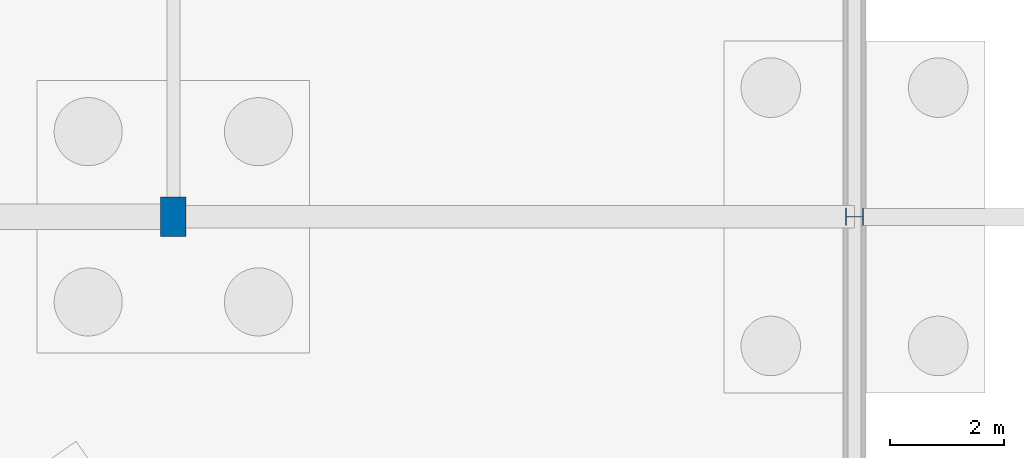
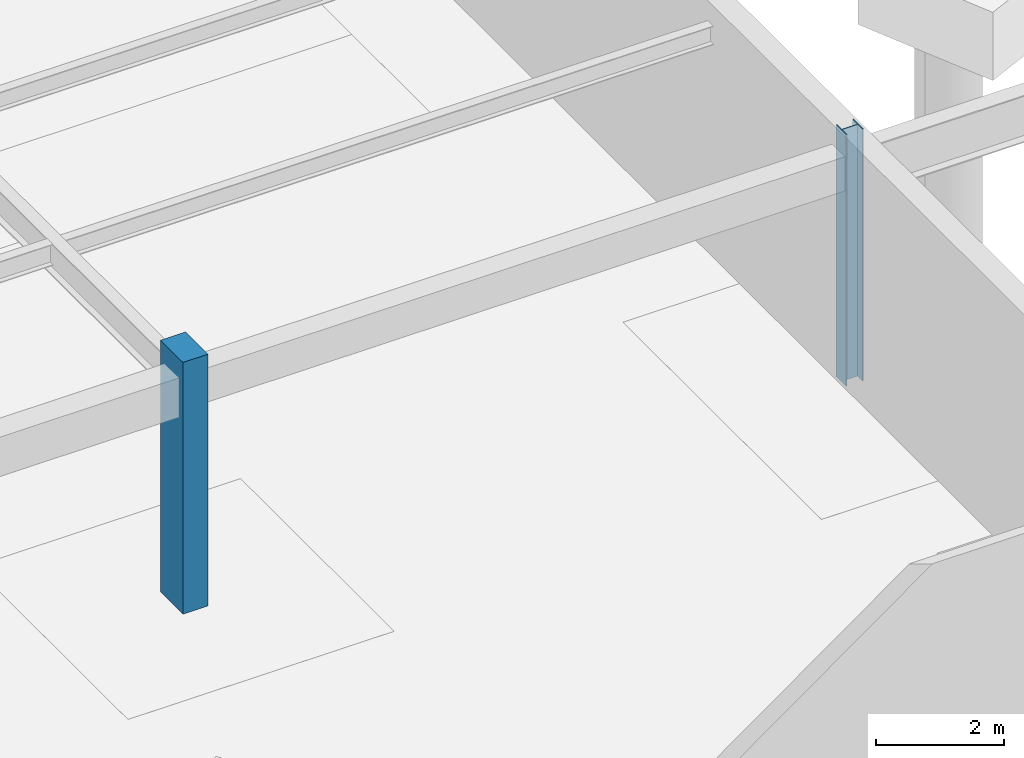
# One storey, part 49 of 136: 2 columns.
"""IFC4 building model written with IfcOpenShell, lengths in metres."""

import ifcopenshell
import ifcopenshell.guid

model = None  # the IFC model being written
_history = None  # IfcOwnerHistory: only IFC2X3 demands one
_inside = {}  # id of a spatial element -> (the spatial element, [elements in it])
_under = {}  # id of a project, library or spatial element -> (it, [spatial elements below it])
_declared = {}  # id of a project -> (the project, [libraries it declares])
_typed = {}  # id of a type object -> (the type object, [elements of that type])
_made_of = {}  # id of a material, layer set ... -> (it, [elements and type objects made of it])


def new_model(schema):
    """Start an empty IFC model of exactly this schema.

    Asked for "IFC4X3", IfcOpenShell would pick the latest addendum, in which some entities
    have other attributes; the version numbers below select the first issue.
    IFC2X3 requires an IfcOwnerHistory on every rooted entity: one is made here for all.
    """
    global model, _history
    if schema == "IFC4X3":
        model = ifcopenshell.file(schema_version=(4, 3, 0, 0))
    else:
        model = ifcopenshell.file(schema=schema)
    _inside.clear()
    _under.clear()
    _declared.clear()
    _typed.clear()
    _made_of.clear()
    _history = None
    if model.schema == "IFC2X3":
        org = make("IfcOrganization", Name="unknown")
        user = make(
            "IfcPersonAndOrganization",
            ThePerson=make("IfcPerson", FamilyName="unknown"),
            TheOrganization=org,
        )
        app = make(
            "IfcApplication",
            ApplicationDeveloper=org,
            Version="unknown",
            ApplicationFullName="unknown",
            ApplicationIdentifier="unknown",
        )
        _history = make(
            "IfcOwnerHistory",
            OwningUser=user,
            OwningApplication=app,
            ChangeAction="ADDED",
            CreationDate=0,
        )
    return model


def make(cls, **values):
    """One entity of the class cls with the attributes given. An attribute that is None is left unset."""
    return model.create_entity(
        cls, **{name: value for name, value in values.items() if value is not None}
    )


def rooted(cls, **values):
    """An entity with a GlobalId (a new one), such as an element, a storey or a relation."""
    return make(cls, GlobalId=ifcopenshell.guid.new(), OwnerHistory=_history, **values)


def si_unit(unit_type, name, prefix=None):
    """IfcSIUnit, for example si_unit("LENGTHUNIT", "METRE", prefix="MILLI")."""
    return make("IfcSIUnit", UnitType=unit_type, Prefix=prefix, Name=name)


def assignment(units):
    """IfcUnitAssignment: the units of a project."""
    return None if units is None else make("IfcUnitAssignment", Units=units)


def point(xyz):
    """IfcCartesianPoint."""
    return None if xyz is None else make("IfcCartesianPoint", Coordinates=xyz)


def direction(xyz):
    """IfcDirection."""
    return None if xyz is None else make("IfcDirection", DirectionRatios=xyz)


def frame(location, z_axis=None, x_axis=None):
    """IfcAxis2Placement3D, a coordinate frame: its origin and axes. An axis left out is left unset."""
    return make(
        "IfcAxis2Placement3D",
        Location=point(location),
        Axis=direction(z_axis),
        RefDirection=direction(x_axis),
    )


def frame_2d(location, x_axis=None):
    """IfcAxis2Placement2D, a coordinate frame in the plane: its origin and x axis."""
    return make(
        "IfcAxis2Placement2D", Location=point(location), RefDirection=direction(x_axis)
    )


def origin():
    """The frame at (0, 0, 0) with its axes left unset."""
    return frame((0.0, 0.0, 0.0))


def origin_2d():
    """The frame at (0, 0) in the plane with its x axis left unset."""
    return frame_2d((0.0, 0.0))


def place(relative_to, where):
    """IfcLocalPlacement: puts the frame where relative to a parent placement (None: the world)."""
    return make(
        "IfcLocalPlacement", PlacementRelTo=relative_to, RelativePlacement=where
    )


def context(
    kind, dimensions, precision=None, world=None, true_north=None, identifier=None
):
    """IfcGeometricRepresentationContext, for example the 3D "Model" context."""
    return make(
        "IfcGeometricRepresentationContext",
        ContextIdentifier=identifier,
        ContextType=kind,
        CoordinateSpaceDimension=dimensions,
        Precision=precision,
        WorldCoordinateSystem=world,
        TrueNorth=true_north,
    )


def subcontext(parent, identifier, kind, view, scale=None):
    """IfcGeometricRepresentationSubContext, for example "Body" below "Model"."""
    return make(
        "IfcGeometricRepresentationSubContext",
        ContextIdentifier=identifier,
        ContextType=kind,
        ParentContext=parent,
        TargetScale=scale,
        TargetView=view,
    )


def project(units=None, contexts=None):
    """IfcProject with its units and contexts."""
    return rooted(
        "IfcProject",
        Name="project",
        RepresentationContexts=contexts,
        UnitsInContext=assignment(units),
    )


def spatial(cls, under=None, at=None, **own):
    """A site, building, storey or space (cls), placed at a placement, below another one or the project."""
    s = rooted(cls, ObjectPlacement=at, **own)
    if under is not None:
        _under.setdefault(under.id(), (under, []))[1].append(s)
    return s


def profile(cls, at=None, kind="AREA", **sizes):
    """A parametric profile (cls). Its sizes go by their IFC names, for example OverallWidth=200.0."""
    return make(cls, ProfileType=kind, Position=at, **sizes)


def rectangle(**sizes):
    """IfcRectangleProfileDef."""
    return profile("IfcRectangleProfileDef", **sizes)


def i_section(**sizes):
    """IfcIShapeProfileDef."""
    return profile("IfcIShapeProfileDef", **sizes)


def extrude(swept, where, along, depth):
    """IfcExtrudedAreaSolid: the profile swept, set in the frame where, extruded along a direction by depth."""
    return make(
        "IfcExtrudedAreaSolid",
        SweptArea=swept,
        Position=where,
        ExtrudedDirection=direction(along),
        Depth=depth,
    )


def shape(context_of_items, identifier, shape_type, items):
    """IfcShapeRepresentation: the items that make up one representation, for example the "Body"."""
    return make(
        "IfcShapeRepresentation",
        ContextOfItems=context_of_items,
        RepresentationIdentifier=identifier,
        RepresentationType=shape_type,
        Items=items,
    )


def material(Name=None, Category=None):
    """IfcMaterial."""
    return make("IfcMaterial", Name=Name, Category=Category)


def material_profile(
    of_material, cross_section, Name=None, Category=None, Priority=None
):
    """IfcMaterialProfile: a cross section and its material."""
    return make(
        "IfcMaterialProfile",
        Name=Name,
        Material=of_material,
        Profile=cross_section,
        Priority=Priority,
        Category=Category,
    )


def profile_set(profiles, Name=None, composite=None):
    """IfcMaterialProfileSet."""
    return make(
        "IfcMaterialProfileSet",
        Name=Name,
        MaterialProfiles=profiles,
        CompositeProfile=composite,
    )


def made_of(thing, what):
    """Note that an element or type object is made of a material, layer set ...; save() writes the relation."""
    if what is not None:
        _made_of.setdefault(what.id(), (what, []))[1].append(thing)
    return thing


def type_object(cls, material=None, **own):
    """A type object (cls), such as IfcWallType, which elements share."""
    return made_of(rooted(cls, **own), material)


def element(
    cls,
    number,
    at=None,
    inside=None,
    cuts=None,
    type_object=None,
    material=None,
    context=None,
    identifier="Body",
    shape_type=None,
    held_by="IfcProductDefinitionShape",
    body=None,
    shapes=None,
    **own,
):
    """One element of the class cls, such as IfcWall. Its Tag is "e" and its number.

    at: its placement. inside: the storey or other place that contains it. cuts: it is an
    opening in that element (IfcRelVoidsElement). A single representation is given by context,
    identifier, shape_type and body (its items); several are given by shapes. held_by: the class
    of the entity that holds the representations. save() writes the other relations.
    """
    e = rooted(cls, Tag="e%d" % number, ObjectPlacement=at, **own)
    if body is not None:
        shapes = [shape(context, identifier, shape_type, body)]
    if shapes is not None:
        e.Representation = make(held_by, Representations=shapes)
    if inside is not None:
        _inside.setdefault(inside.id(), (inside, []))[1].append(e)
    if cuts is not None:
        rooted(
            "IfcRelVoidsElement", RelatingBuildingElement=cuts, RelatedOpeningElement=e
        )
    if type_object is not None:
        _typed.setdefault(type_object.id(), (type_object, []))[1].append(e)
    return made_of(e, material)


def aggregate(whole, parts):
    """IfcRelAggregates: a whole, such as a stair, and the parts it consists of."""
    return rooted("IfcRelAggregates", RelatingObject=whole, RelatedObjects=parts)


def save(model, path):
    """Write the relations noted so far, then the file.

    IfcRelAggregates (storeys below a building ...), IfcRelContainedInSpatialStructure (elements
    in a storey), IfcRelDefinesByType, IfcRelAssociatesMaterial and IfcRelDeclares: one each for
    every whole, place, type object, material and project.
    """
    for whole, parts in _under.values():
        aggregate(whole, parts)
    for where, things in _inside.values():
        rooted(
            "IfcRelContainedInSpatialStructure",
            RelatedElements=things,
            RelatingStructure=where,
        )
    for kind, things in _typed.values():
        rooted("IfcRelDefinesByType", RelatedObjects=things, RelatingType=kind)
    for what, things in _made_of.values():
        rooted("IfcRelAssociatesMaterial", RelatedObjects=things, RelatingMaterial=what)
    for by, libraries in _declared.values():
        rooted("IfcRelDeclares", RelatingContext=by, RelatedDefinitions=libraries)
    model.write(path)


model = new_model("IFC4")

# Units and contexts
model_context = context("Model", 3, precision=1e-05, world=origin(), true_north=direction((0.0, 1.0)))
body_context = subcontext(model_context, "Body", "Model", "MODEL_VIEW")
ifc_project = project(units=[si_unit("LENGTHUNIT", "METRE"), si_unit("AREAUNIT", "SQUARE_METRE"), si_unit("VOLUMEUNIT", "CUBIC_METRE"), si_unit("PLANEANGLEUNIT", "RADIAN"), si_unit("MASSUNIT", "GRAM", prefix="KILO")], contexts=[model_context])

# Site, building, storey
site_placement = place(None, origin())
site = spatial("IfcSite", under=ifc_project, at=site_placement, CompositionType="ELEMENT")
building_placement = place(site_placement, origin())
building = spatial("IfcBuilding", under=site, at=building_placement, Name="Tarnwether General Hospital", CompositionType="ELEMENT")
storey_placement = place(building_placement, frame((0.0, 0.0, -4.800048828125)))
storey = spatial("IfcBuildingStorey", under=building, at=storey_placement, Name="LG", CompositionType="ELEMENT", Elevation=-4.800048828125)

# Columns
ifc_material_1 = material(Name="Steel Grade 350 (350 MPa)", Category="steel")
ifc_material_profile_1 = material_profile(ifc_material_1, i_section(OverallWidth=0.306884765625, OverallDepth=0.31494140625, WebThickness=0.011962890625, FlangeThickness=0.018798828125, at=origin_2d()), Name="310UC118")
ifc_profile_set_1 = profile_set([ifc_material_profile_1], Name="Steel Grade 350 (350 MPa)")
column_type_1 = type_object("IfcColumnType", Name="COL-07", PredefinedType="COLUMN", material=ifc_profile_set_1)
column_1_placement = place(storey_placement, frame((132.0, 33.60009765625, 0.0), z_axis=(0.0, 0.0, 1.0), x_axis=(0.0, 1.0, 0.0)))
element("IfcColumn", 1, at=column_1_placement, inside=storey, type_object=column_type_1, Name="Column COLG-LG-13200_3360", PredefinedType="COLUMN", context=body_context, shape_type="SweptSolid", body=[
    extrude(i_section(OverallWidth=0.306884765625, OverallDepth=0.31494140625, WebThickness=0.011962890625, FlangeThickness=0.018798828125, at=origin_2d()), origin(), (0.0, 0.0, 1.0), 4.800048828125),
])
ifc_material_2 = material(Name="Concrete 50 MPa", Category="concrete")
ifc_material_profile_2 = material_profile(ifc_material_2, rectangle(XDim=0.449951171875, YDim=0.699951171875, at=origin_2d()), Name="RC-PIL-450x700")
ifc_profile_set_2 = profile_set([ifc_material_profile_2], Name="Concrete 50 MPa")
column_type_2 = type_object("IfcColumnType", Name="COL-22", PredefinedType="PILASTER", material=ifc_profile_set_2)
column_2_placement = place(storey_placement, frame((120.0, 33.60009765625, 0.0), z_axis=(0.0, 0.0, 1.0), x_axis=(1.0, 0.0, 0.0)))
element("IfcColumn", 2, at=column_2_placement, inside=storey, type_object=column_type_2, Name="Column COLG-LG-12000_3360", PredefinedType="PILASTER", context=body_context, shape_type="SweptSolid", body=[
    extrude(rectangle(XDim=0.449951171875, YDim=0.699951171875, at=origin_2d()), origin(), (0.0, 0.0, 1.0), 4.800048828125),
])

save(model, "model.ifc")
